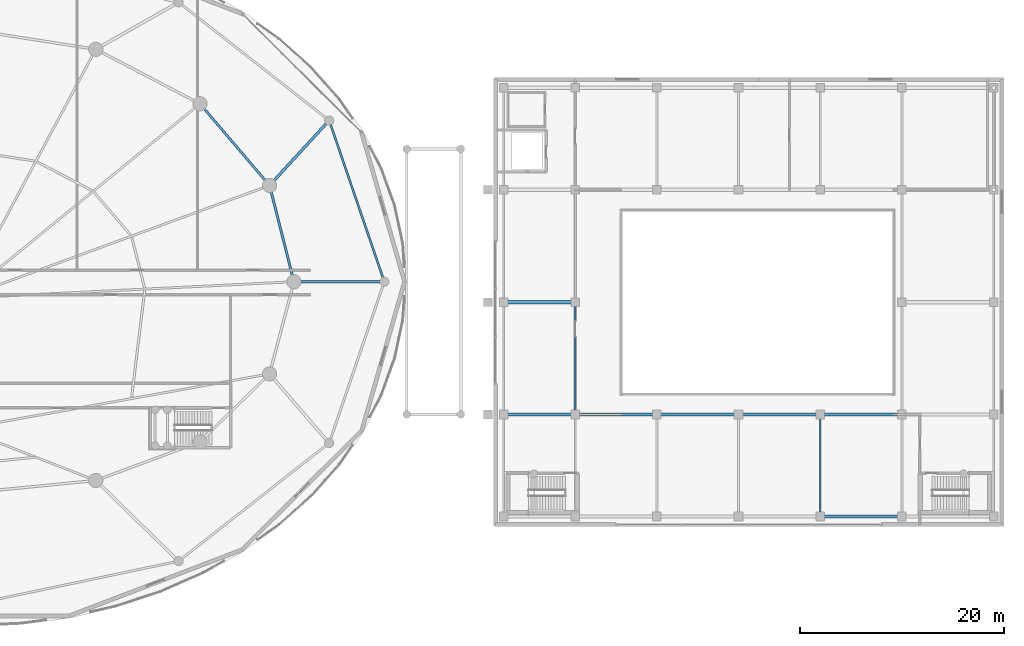
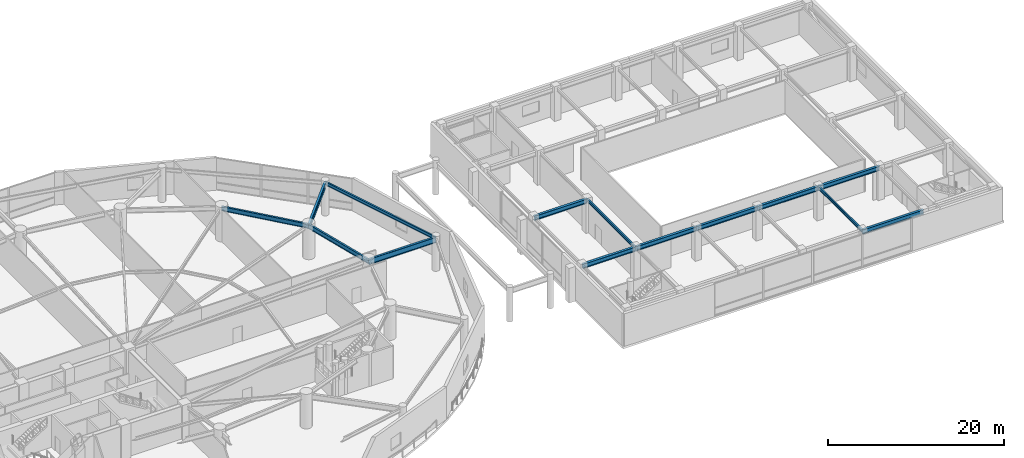
# One storey, part 15 of 40: 14 beams.
"""IFC4 building model written with IfcOpenShell, lengths in metres."""

from ifc_helpers import new_model, si_unit, direction, frame, origin, origin_2d, place, context, subcontext, project, spatial, i_section, extrude, material, material_profile, profile_set, type_object, element, save


model = new_model("IFC4")

# Units and contexts
model_context = context("Model", 3, precision=1e-05, world=origin(), true_north=direction((0.0, 1.0)))
body_context = subcontext(model_context, "Body", "Model", "MODEL_VIEW")
ifc_project = project(units=[si_unit("LENGTHUNIT", "METRE"), si_unit("AREAUNIT", "SQUARE_METRE"), si_unit("VOLUMEUNIT", "CUBIC_METRE"), si_unit("PLANEANGLEUNIT", "RADIAN"), si_unit("MASSUNIT", "GRAM", prefix="KILO")], contexts=[model_context])

# Site, building, storey
site_placement = place(None, origin())
site = spatial("IfcSite", under=ifc_project, at=site_placement, CompositionType="ELEMENT")
building_placement = place(site_placement, origin())
building = spatial("IfcBuilding", under=site, at=building_placement, Name="Kazevale Care Tower and Concert Hall", CompositionType="ELEMENT")
storey_placement = place(building_placement, frame((0.0, 0.0, 4.800048828125)))
storey = spatial("IfcBuildingStorey", under=building, at=storey_placement, Name="L01", CompositionType="ELEMENT", Elevation=4.800048828125)

# Beams
ifc_material = material(Name="Steel ASTM A572 Gr 50", Category="steel")
ifc_material_profile_1 = material_profile(ifc_material, i_section(OverallWidth=0.323974609375, OverallDepth=0.611083984375, WebThickness=0.0126953125, FlangeThickness=0.01904296875, at=origin_2d()), Name="W610x155")
ifc_profile_set_1 = profile_set([ifc_material_profile_1], Name="Steel ASTM A572 Gr 50")
beam_type_1 = type_object("IfcBeamType", Name="Concert Hall Frame Girder W610x155", PredefinedType="BEAM", material=ifc_profile_set_1)
beam_1_placement = place(storey_placement, frame((128.0, 15.0, 4.21435546875), z_axis=(1.0, 0.0, 0.0), x_axis=(0.0, 1.0, 0.0)))
element("IfcBeam", 1, at=beam_1_placement, inside=storey, type_object=beam_type_1, Name="beam:L01:hx:128_15", PredefinedType="BEAM", context=body_context, shape_type="SweptSolid", body=[
    extrude(i_section(OverallWidth=0.323974609375, OverallDepth=0.611083984375, WebThickness=0.0126953125, FlangeThickness=0.01904296875, at=origin_2d()), origin(), (0.0, 0.0, 1.0), 8.0),
])
beam_2_placement = place(storey_placement, frame((97.0, 25.0, 4.21435546875), z_axis=(1.0, 0.0, 0.0), x_axis=(0.0, 1.0, 0.0)))
element("IfcBeam", 2, at=beam_2_placement, inside=storey, type_object=beam_type_1, Name="beam:L01:hx:97_25", PredefinedType="BEAM", context=body_context, shape_type="SweptSolid", body=[
    extrude(i_section(OverallWidth=0.323974609375, OverallDepth=0.611083984375, WebThickness=0.0126953125, FlangeThickness=0.01904296875, at=origin_2d()), origin(), (0.0, 0.0, 1.0), 7.0),
])
for number, where, z_axis, x_axis, name in (
    (3, (104.0, 25.0, 4.21435546875), (1.0, 0.0, 0.0), (0.0, 1.0, 0.0), "beam:L01:hx:104_25"),
    (4, (112.0, 25.0, 4.21435546875), (1.0, 0.0, 0.0), (0.0, 1.0, 0.0), "beam:L01:hx:112_25"),
    (5, (120.0, 25.0, 4.21435546875), (1.0, 0.0, 0.0), (0.0, 1.0, 0.0), "beam:L01:hx:120_25"),
    (6, (128.0, 25.0, 4.21435546875), (1.0, 0.0, 0.0), (0.0, 1.0, 0.0), "beam:L01:hx:128_25"),
):
    element("IfcBeam", number, at=place(storey_placement, frame(where, z_axis=z_axis, x_axis=x_axis)), inside=storey, type_object=beam_type_1, Name=name, PredefinedType="BEAM", context=body_context, shape_type="SweptSolid", body=[
        extrude(i_section(OverallWidth=0.323974609375, OverallDepth=0.611083984375, WebThickness=0.0126953125, FlangeThickness=0.01904296875, at=origin_2d()), origin(), (0.0, 0.0, 1.0), 8.0),
    ])
beam_3_placement = place(storey_placement, frame((97.0, 36.0, 4.21435546875), z_axis=(1.0, 0.0, 0.0), x_axis=(0.0, 1.0, 0.0)))
element("IfcBeam", 7, at=beam_3_placement, inside=storey, type_object=beam_type_1, Name="beam:L01:hx:97_36", PredefinedType="BEAM", context=body_context, shape_type="SweptSolid", body=[
    extrude(i_section(OverallWidth=0.323974609375, OverallDepth=0.611083984375, WebThickness=0.0126953125, FlangeThickness=0.01904296875, at=origin_2d()), origin(), (0.0, 0.0, 1.0), 7.0),
])
ifc_material_profile_2 = material_profile(ifc_material, i_section(OverallWidth=0.180908203125, OverallDepth=0.4169921875, WebThickness=0.010986328125, FlangeThickness=0.018310546875, at=origin_2d()), Name="W410x85")
ifc_profile_set_2 = profile_set([ifc_material_profile_2], Name="Steel ASTM A572 Gr 50")
beam_type_2 = type_object("IfcBeamType", Name="Concert Hall Secondary Beam W410x85", PredefinedType="BEAM", material=ifc_profile_set_2)
beam_4_placement = place(storey_placement, frame((104.0, 25.0, 4.3115234375), z_axis=(0.0, 1.0, 0.0), x_axis=(-1.0, 0.0, 0.0)))
element("IfcBeam", 8, at=beam_4_placement, inside=storey, type_object=beam_type_2, Name="beam:L01:hy:104_25", PredefinedType="BEAM", context=body_context, shape_type="SweptSolid", body=[
    extrude(i_section(OverallWidth=0.180908203125, OverallDepth=0.4169921875, WebThickness=0.010986328125, FlangeThickness=0.018310546875, at=origin_2d()), origin(), (0.0, 0.0, 1.0), 11.0),
])
beam_5_placement = place(storey_placement, frame((128.0, 15.0, 4.3115234375), z_axis=(0.0, 1.0, 0.0), x_axis=(-1.0, 0.0, 0.0)))
element("IfcBeam", 9, at=beam_5_placement, inside=storey, type_object=beam_type_2, Name="beam:L01:hy:128_15", PredefinedType="BEAM", context=body_context, shape_type="SweptSolid", body=[
    extrude(i_section(OverallWidth=0.180908203125, OverallDepth=0.4169921875, WebThickness=0.010986328125, FlangeThickness=0.018310546875, at=origin_2d()), origin(), (0.0, 0.0, 1.0), 10.0),
])
ifc_material_profile_3 = material_profile(ifc_material, i_section(OverallWidth=0.194091796875, OverallDepth=0.468994140625, WebThickness=0.0126953125, FlangeThickness=0.0205078125, at=origin_2d()), Name="W460x106")
ifc_profile_set_3 = profile_set([ifc_material_profile_3], Name="Steel ASTM A572 Gr 50")
beam_type_3 = type_object("IfcBeamType", Name="Podium Floor Beam W460x106", PredefinedType="BEAM", material=ifc_profile_set_3)
beam_6_placement = place(storey_placement, frame((85.300048828125, 38.0, 4.285400390625), z_axis=(-0.323412440773, 0.946258100707, 0.0), x_axis=(-0.946258100707, -0.323412440773, 0.0)))
element("IfcBeam", 10, at=beam_6_placement, inside=storey, type_object=beam_type_3, Name="beam:L01:podring:01", PredefinedType="BEAM", context=body_context, shape_type="SweptSolid", body=[
    extrude(i_section(OverallWidth=0.194091796875, OverallDepth=0.468994140625, WebThickness=0.0126953125, FlangeThickness=0.0205078125, at=origin_2d()), origin(), (0.0, 0.0, 1.0), 16.697509765625),
])
ifc_material_profile_4 = material_profile(ifc_material, i_section(OverallWidth=0.26806640625, OverallDepth=0.77001953125, WebThickness=0.015625, FlangeThickness=0.025390625, at=origin_2d()), Name="W760x196")
ifc_profile_set_4 = profile_set([ifc_material_profile_4], Name="Steel ASTM A572 Gr 50")
beam_type_4 = type_object("IfcBeamType", Name="Podium Primary Girder W760x196", PredefinedType="BEAM", material=ifc_profile_set_4)
beam_7_placement = place(storey_placement, frame((76.449951171875, 38.0, 4.135009765625), z_axis=(1.0, 0.0, 0.0), x_axis=(0.0, 1.0, 0.0)))
element("IfcBeam", 11, at=beam_7_placement, inside=storey, type_object=beam_type_4, Name="beam:L01:podrad:01", PredefinedType="BEAM", context=body_context, shape_type="SweptSolid", body=[
    extrude(i_section(OverallWidth=0.26806640625, OverallDepth=0.77001953125, WebThickness=0.015625, FlangeThickness=0.025390625, at=origin_2d()), origin(), (0.0, 0.0, 1.0), 8.85009765625),
])
beam_8_placement = place(storey_placement, frame((74.06005859375, 47.429931640625, 4.135009765625), z_axis=(0.675760447671, 0.737121304375, 0.0), x_axis=(-0.737121304375, 0.675760447671, 0.0)))
element("IfcBeam", 12, at=beam_8_placement, inside=storey, type_object=beam_type_4, Name="beam:L01:podrad:02", PredefinedType="BEAM", context=body_context, shape_type="SweptSolid", body=[
    extrude(i_section(OverallWidth=0.26806640625, OverallDepth=0.77001953125, WebThickness=0.015625, FlangeThickness=0.025390625, at=origin_2d()), origin(), (0.0, 0.0, 1.0), 8.641845703125),
])
ifc_material_profile_5 = material_profile(ifc_material, i_section(OverallWidth=0.22900390625, OverallDepth=0.612060546875, WebThickness=0.011962890625, FlangeThickness=0.01953125, at=origin_2d()), Name="W610x125")
ifc_profile_set_5 = profile_set([ifc_material_profile_5], Name="Steel ASTM A572 Gr 50")
beam_type_5 = type_object("IfcBeamType", Name="Ring Spandrel Beam W610x125", PredefinedType="SPANDREL", material=ifc_profile_set_5)
beam_9_placement = place(storey_placement, frame((76.449951171875, 38.0, 4.2138671875), z_axis=(-0.245669948409, 0.969353535326, 0.0), x_axis=(-0.969353535326, -0.245669948409, 0.0)))
element("IfcBeam", 13, at=beam_9_placement, inside=storey, type_object=beam_type_5, Name="beam:L01:ring:01", PredefinedType="SPANDREL", context=body_context, shape_type="SweptSolid", body=[
    extrude(i_section(OverallWidth=0.22900390625, OverallDepth=0.612060546875, WebThickness=0.011962890625, FlangeThickness=0.01953125, at=origin_2d()), origin(), (0.0, 0.0, 1.0), 9.72802734375),
])
beam_10_placement = place(storey_placement, frame((74.06005859375, 47.429931640625, 4.2138671875), z_axis=(-0.648756004283, 0.760996482848, 0.0), x_axis=(-0.760996482848, -0.648756004283, 0.0)))
element("IfcBeam", 14, at=beam_10_placement, inside=storey, type_object=beam_type_5, Name="beam:L01:ring:02", PredefinedType="SPANDREL", context=body_context, shape_type="SweptSolid", body=[
    extrude(i_section(OverallWidth=0.22900390625, OverallDepth=0.612060546875, WebThickness=0.011962890625, FlangeThickness=0.01953125, at=origin_2d()), origin(), (0.0, 0.0, 1.0), 10.512451171875),
])

save(model, "model.ifc")
